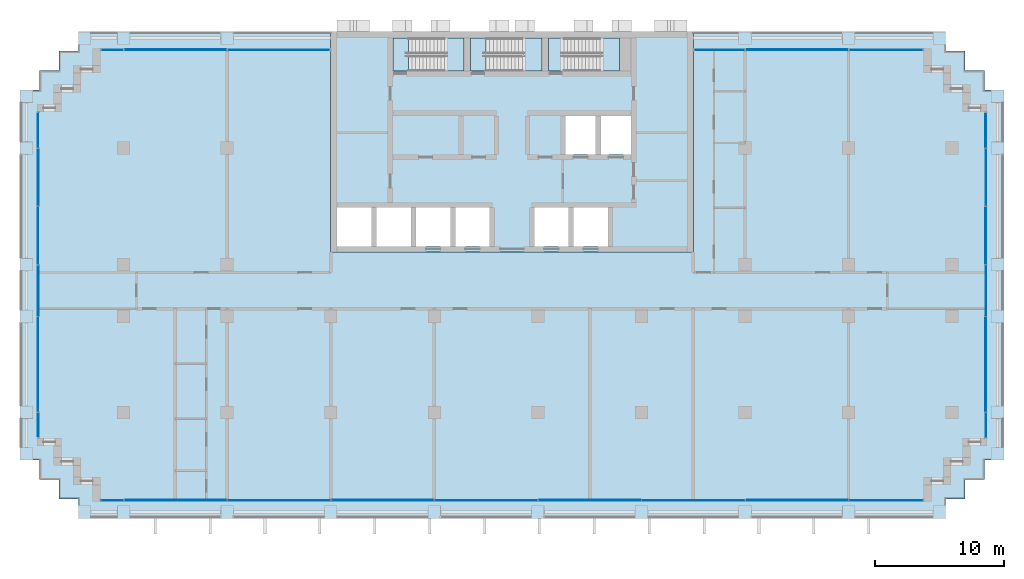
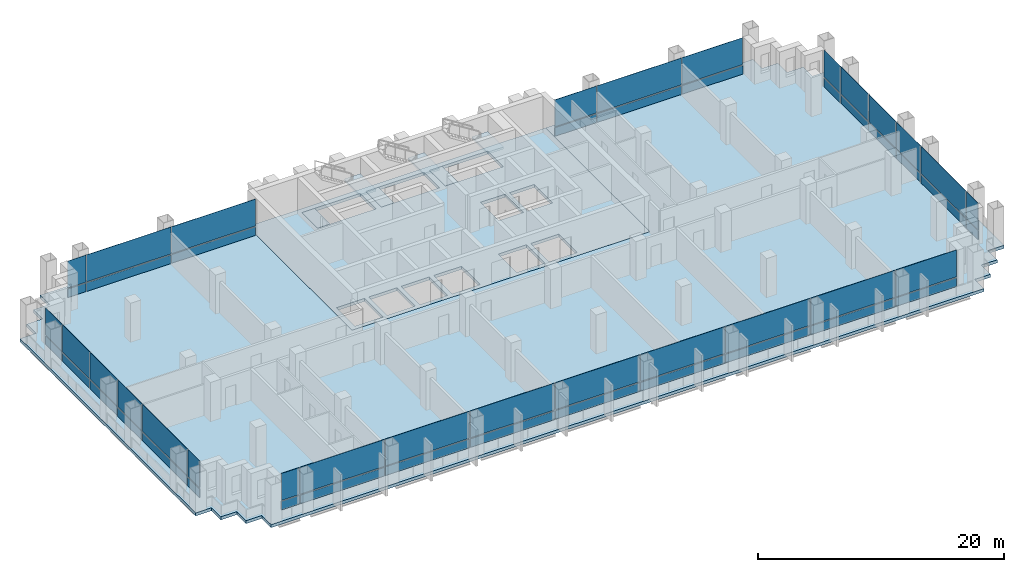
# One storey, part 6 of 13: 54 plates, 8 slabs, 8 elements without a shape of their own.
"""IFC4 building model written with IfcOpenShell, lengths in metres."""

from ifc_helpers import new_model, si_unit, direction, frame, origin, origin_2d, place, context, subcontext, project, spatial, polyline, rectangle, outline, extrude, material, layer, layer_set, type_object, element, aggregate, save


model = new_model("IFC4")

# Units and contexts
model_context = context("Model", 3, precision=1e-05, world=origin(), true_north=direction((0.0, 1.0)))
body_context = subcontext(model_context, "Body", "Model", "MODEL_VIEW")
ifc_project = project(units=[si_unit("LENGTHUNIT", "METRE"), si_unit("AREAUNIT", "SQUARE_METRE"), si_unit("VOLUMEUNIT", "CUBIC_METRE"), si_unit("PLANEANGLEUNIT", "RADIAN"), si_unit("MASSUNIT", "GRAM", prefix="KILO")], contexts=[model_context])

# Site, building, storey
site_placement = place(None, origin())
site = spatial("IfcSite", under=ifc_project, at=site_placement, CompositionType="ELEMENT")
building_placement = place(site_placement, origin())
building = spatial("IfcBuilding", under=site, at=building_placement, Name="Vidyagriha Tower", CompositionType="ELEMENT")
storey_placement = place(building_placement, frame((0.0, 0.0, 37.699951171875)))
storey = spatial("IfcBuildingStorey", under=building, at=storey_placement, Name="L09", CompositionType="ELEMENT", Elevation=37.699951171875)

# Curtain wall, plates
ifc_material_1 = material(Name="Aluminium and glass curtain wall", Category="aluminium")
curtain_wall_type = type_object("IfcCurtainWallType", Name="Classroom skin unitised curtain wall", PredefinedType="USERDEFINED", material=ifc_material_1)
curtain_wall_1_placement = place(storey_placement, origin())
curtain_wall_1 = element("IfcCurtainWall", 1, at=curtain_wall_1_placement, inside=storey, type_object=curtain_wall_type, Name="CW2 classroom skin", ObjectType="UNITISED", PredefinedType="USERDEFINED")
ifc_material_2 = material(Name="Glass dark ceramic-fritted spandrel", Category="glass")
ifc_layer_1 = layer(ifc_material_2, 0.0400390625)
ifc_layer_set_1 = layer_set([ifc_layer_1], Name="Glass dark ceramic-fritted spandrel")
plate_type_1 = type_object("IfcPlateType", Name="Ceramic-fritted spandrel panel", PredefinedType="CURTAIN_PANEL", material=ifc_layer_set_1)
plate_1_placement = place(storey_placement, frame((28.882568359375, 18.60009765625, 0.0), z_axis=(0.0, 0.0, 1.0), x_axis=(-1.0, 0.0, 0.0)))
plate_1 = element("IfcPlate", 2, at=plate_1_placement, type_object=plate_type_1, Name="CW2 panel 1.1", PredefinedType="CURTAIN_PANEL", context=body_context, shape_type="SweptSolid", body=[
    extrude(rectangle(XDim=5.695068359375, YDim=0.0400390625, at=origin_2d()), origin(), (0.0, 0.0, 1.0), 0.85009765625),
])
plate_2_placement = place(storey_placement, frame((16.017578125, 18.60009765625, 0.0), z_axis=(0.0, 0.0, 1.0), x_axis=(-1.0, 0.0, 0.0)))
plate_2 = element("IfcPlate", 3, at=plate_2_placement, type_object=plate_type_1, Name="CW2 panel 3.1", PredefinedType="CURTAIN_PANEL", context=body_context, shape_type="SweptSolid", body=[
    extrude(rectangle(XDim=3.89501953125, YDim=0.0400390625, at=origin_2d()), origin(), (0.0, 0.0, 1.0), 0.85009765625),
])

curtain_wall_2_placement = place(storey_placement, origin())
curtain_wall_2 = element("IfcCurtainWall", 4, at=curtain_wall_2_placement, inside=storey, type_object=curtain_wall_type, Name="CW2 classroom skin", ObjectType="UNITISED", PredefinedType="USERDEFINED")
plate_3_placement = place(storey_placement, frame((-18.017578125, 18.60009765625, 0.0), z_axis=(0.0, 0.0, 1.0), x_axis=(-1.0, 0.0, 0.0)))
plate_3 = element("IfcPlate", 5, at=plate_3_placement, type_object=plate_type_1, Name="CW2 panel 1.1", PredefinedType="CURTAIN_PANEL", context=body_context, shape_type="SweptSolid", body=[
    extrude(rectangle(XDim=7.89501953125, YDim=0.0400390625, at=origin_2d()), origin(), (0.0, 0.0, 1.0), 0.85009765625),
])
plate_4_placement = place(storey_placement, frame((-30.882568359375, 18.60009765625, 0.0), z_axis=(0.0, 0.0, 1.0), x_axis=(-1.0, 0.0, 0.0)))
plate_4 = element("IfcPlate", 6, at=plate_4_placement, type_object=plate_type_1, Name="CW2 panel 3.1", PredefinedType="CURTAIN_PANEL", context=body_context, shape_type="SweptSolid", body=[
    extrude(rectangle(XDim=1.695068359375, YDim=0.0400390625, at=origin_2d()), origin(), (0.0, 0.0, 1.0), 0.85009765625),
])

curtain_wall_3_placement = place(storey_placement, origin())
curtain_wall_3 = element("IfcCurtainWall", 7, at=curtain_wall_3_placement, inside=storey, type_object=curtain_wall_type, Name="CW2 classroom skin", ObjectType="UNITISED", PredefinedType="USERDEFINED")
plate_5_placement = place(storey_placement, frame((-36.60009765625, 12.382568359375, 0.0), z_axis=(0.0, 0.0, 1.0), x_axis=(0.0, -1.0, 0.0)))
plate_5 = element("IfcPlate", 8, at=plate_5_placement, type_object=plate_type_1, Name="CW2 panel 1.1", PredefinedType="CURTAIN_PANEL", context=body_context, shape_type="SweptSolid", body=[
    extrude(rectangle(XDim=2.695068359375, YDim=0.0400390625, at=origin_2d()), origin(), (0.0, 0.0, 1.0), 0.85009765625),
])
plate_6_placement = place(storey_placement, frame((-36.60009765625, 4.25, 0.0), z_axis=(0.0, 0.0, 1.0), x_axis=(0.0, -1.0, 0.0)))
plate_6 = element("IfcPlate", 9, at=plate_6_placement, type_object=plate_type_1, Name="CW2 panel 3.1", PredefinedType="CURTAIN_PANEL", context=body_context, shape_type="SweptSolid", body=[
    extrude(rectangle(XDim=4.429931640625, YDim=0.0400390625, at=origin_2d()), origin(), (0.0, 0.0, 1.0), 0.85009765625),
])
plate_7_placement = place(storey_placement, frame((-36.60009765625, -5.699951171875, 0.0), z_axis=(0.0, 0.0, 1.0), x_axis=(0.0, -1.0, 0.0)))
plate_7 = element("IfcPlate", 10, at=plate_7_placement, type_object=plate_type_1, Name="CW2 panel 5.1", PredefinedType="CURTAIN_PANEL", context=body_context, shape_type="SweptSolid", body=[
    extrude(rectangle(XDim=7.330078125, YDim=0.0400390625, at=origin_2d()), origin(), (0.0, 0.0, 1.0), 0.85009765625),
])

curtain_wall_4_placement = place(storey_placement, origin())
curtain_wall_4 = element("IfcCurtainWall", 11, at=curtain_wall_4_placement, inside=storey, type_object=curtain_wall_type, Name="CW2 classroom skin", ObjectType="UNITISED", PredefinedType="USERDEFINED")
plate_8_placement = place(storey_placement, frame((-30.882568359375, -16.199951171875, 0.0)))
plate_8 = element("IfcPlate", 12, at=plate_8_placement, type_object=plate_type_1, Name="CW2 panel 1.1", PredefinedType="CURTAIN_PANEL", context=body_context, shape_type="SweptSolid", body=[
    extrude(rectangle(XDim=1.695068359375, YDim=0.0400390625, at=origin_2d()), origin(), (0.0, 0.0, 1.0), 0.85009765625),
])
plate_9_placement = place(storey_placement, frame((-18.0, -16.199951171875, 0.0)))
plate_9 = element("IfcPlate", 13, at=plate_9_placement, type_object=plate_type_1, Name="CW2 panel 3.1", PredefinedType="CURTAIN_PANEL", context=body_context, shape_type="SweptSolid", body=[
    extrude(rectangle(XDim=7.929931640625, YDim=0.0400390625, at=origin_2d()), origin(), (0.0, 0.0, 1.0), 0.85009765625),
])
plate_10_placement = place(storey_placement, frame((-2.0, -16.199951171875, 0.0)))
plate_10 = element("IfcPlate", 14, at=plate_10_placement, type_object=plate_type_1, Name="CW2 panel 5.1", PredefinedType="CURTAIN_PANEL", context=body_context, shape_type="SweptSolid", body=[
    extrude(rectangle(XDim=7.929931640625, YDim=0.0400390625, at=origin_2d()), origin(), (0.0, 0.0, 1.0), 0.85009765625),
])
plate_11_placement = place(storey_placement, frame((14.0, -16.199951171875, 0.0)))
plate_11 = element("IfcPlate", 15, at=plate_11_placement, type_object=plate_type_1, Name="CW2 panel 7.1", PredefinedType="CURTAIN_PANEL", context=body_context, shape_type="SweptSolid", body=[
    extrude(rectangle(XDim=7.929931640625, YDim=0.0400390625, at=origin_2d()), origin(), (0.0, 0.0, 1.0), 0.85009765625),
])
plate_12_placement = place(storey_placement, frame((28.882568359375, -16.199951171875, 0.0)))
plate_12 = element("IfcPlate", 16, at=plate_12_placement, type_object=plate_type_1, Name="CW2 panel 9.1", PredefinedType="CURTAIN_PANEL", context=body_context, shape_type="SweptSolid", body=[
    extrude(rectangle(XDim=5.695068359375, YDim=0.0400390625, at=origin_2d()), origin(), (0.0, 0.0, 1.0), 0.85009765625),
])

curtain_wall_5_placement = place(storey_placement, origin())
curtain_wall_5 = element("IfcCurtainWall", 17, at=curtain_wall_5_placement, inside=storey, type_object=curtain_wall_type, Name="CW2 classroom skin", ObjectType="UNITISED", PredefinedType="USERDEFINED")
plate_13_placement = place(storey_placement, frame((36.60009765625, -10.382568359375, 0.0), z_axis=(0.0, 0.0, 1.0), x_axis=(0.0, 1.0, 0.0)))
plate_13 = element("IfcPlate", 18, at=plate_13_placement, type_object=plate_type_1, Name="CW2 panel 1.1", PredefinedType="CURTAIN_PANEL", context=body_context, shape_type="SweptSolid", body=[
    extrude(rectangle(XDim=1.89501953125, YDim=0.0400390625, at=origin_2d()), origin(), (0.0, 0.0, 1.0), 0.85009765625),
])
plate_14_placement = place(storey_placement, frame((36.60009765625, 0.0, 0.0), z_axis=(0.0, 0.0, 1.0), x_axis=(0.0, 1.0, 0.0)))
plate_14 = element("IfcPlate", 19, at=plate_14_placement, type_object=plate_type_1, Name="CW2 panel 3.1", PredefinedType="CURTAIN_PANEL", context=body_context, shape_type="SweptSolid", body=[
    extrude(rectangle(XDim=3.929931640625, YDim=0.0400390625, at=origin_2d()), origin(), (0.0, 0.0, 1.0), 0.85009765625),
])
plate_15_placement = place(storey_placement, frame((36.60009765625, 8.75, 0.0), z_axis=(0.0, 0.0, 1.0), x_axis=(0.0, 1.0, 0.0)))
plate_15 = element("IfcPlate", 20, at=plate_15_placement, type_object=plate_type_1, Name="CW2 panel 5.1", PredefinedType="CURTAIN_PANEL", context=body_context, shape_type="SweptSolid", body=[
    extrude(rectangle(XDim=4.429931640625, YDim=0.0400390625, at=origin_2d()), origin(), (0.0, 0.0, 1.0), 0.85009765625),
])

# Slab
ifc_material_3 = material(Name="Concrete C60/75", Category="concrete")
ifc_layer_2 = layer(ifc_material_3, 0.300048828125)
ifc_layer_set_2 = layer_set([ifc_layer_2], Name="Concrete C60/75")
slab_type_1 = type_object("IfcSlabType", Name="Core floor slab 300 mm", PredefinedType="FLOOR", material=ifc_layer_set_2)
slab_1_placement = place(storey_placement, frame((0.0, 0.0, -0.300048828125)))
element("IfcSlab", 21, at=slab_1_placement, inside=storey, type_object=slab_type_1, Name="L09 core floor 1", PredefinedType="FLOOR", context=body_context, shape_type="SweptSolid", body=[
    extrude(outline(polyline([(-14.0, 3.0), (-14.0, 20.0), (14.0, 20.0), (14.0, 3.0), (-14.0, 3.0)]), holes=[polyline([(9.199951171875, 13.5), (6.86669921875, 13.5), (6.86669921875, 10.5), (9.199951171875, 10.5), (9.199951171875, 13.5)]), polyline([(4.0, 19.5), (2.800048828125, 19.5), (2.800048828125, 16.949951171875), (4.0, 16.949951171875), (8.300048828125, 16.949951171875), (8.300048828125, 19.5), (4.0, 19.5)]), polyline([(7.4111328125, 6.39990234375), (4.7666015625, 6.39990234375), (4.7666015625, 3.39990234375), (7.4111328125, 3.39990234375), (7.4111328125, 6.39990234375)]), polyline([(6.466796875, 13.5), (4.13330078125, 13.5), (4.13330078125, 10.5), (6.466796875, 10.5), (6.466796875, 13.5)]), polyline([(1.72216796875, 6.39990234375), (1.72216796875, 3.39990234375), (4.36669921875, 3.39990234375), (4.36669921875, 6.39990234375), (1.72216796875, 6.39990234375)]), polyline([(-2.0, 16.949951171875), (2.300048828125, 16.949951171875), (2.300048828125, 19.5), (-2.0, 19.5), (-3.199951171875, 19.5), (-3.199951171875, 16.949951171875), (-2.0, 16.949951171875)]), polyline([(-1.72216796875, 6.39990234375), (-4.36669921875, 6.39990234375), (-4.36669921875, 3.39990234375), (-1.72216796875, 3.39990234375), (-1.72216796875, 6.39990234375)]), polyline([(-8.0, 19.5), (-9.199951171875, 19.5), (-9.199951171875, 16.949951171875), (-8.0, 16.949951171875), (-3.699951171875, 16.949951171875), (-3.699951171875, 19.5), (-8.0, 19.5)]), polyline([(-4.7666015625, 6.39990234375), (-7.4111328125, 6.39990234375), (-7.4111328125, 3.39990234375), (-4.7666015625, 3.39990234375), (-4.7666015625, 6.39990234375)]), polyline([(-7.81103515625, 6.39990234375), (-10.45556640625, 6.39990234375), (-10.45556640625, 3.39990234375), (-7.81103515625, 3.39990234375), (-7.81103515625, 6.39990234375)]), polyline([(-13.5, 6.39990234375), (-13.5, 3.39990234375), (-10.855712890625, 3.39990234375), (-10.855712890625, 6.39990234375), (-13.5, 6.39990234375)])]), origin(), (0.0, 0.0, 1.0), 0.300048828125),
])

# Plate
ifc_material_4 = material(Name="Glass dark ceramic-fritted", Category="glass")
ifc_layer_3 = layer(ifc_material_4, 0.028076171875)
ifc_layer_set_3 = layer_set([ifc_layer_3], Name="Glass dark ceramic-fritted")
plate_type_2 = type_object("IfcPlateType", Name="Dark ceramic-fritted vision glass panel", PredefinedType="CURTAIN_PANEL", material=ifc_layer_set_3)
plate_16_placement = place(storey_placement, frame((28.882568359375, 18.60009765625, 0.9501953125), z_axis=(0.0, 0.0, 1.0), x_axis=(-1.0, 0.0, 0.0)))
plate_16 = element("IfcPlate", 22, at=plate_16_placement, type_object=plate_type_2, Name="CW2 panel 1.2", PredefinedType="CURTAIN_PANEL", context=body_context, shape_type="SweptSolid", body=[
    extrude(rectangle(XDim=5.695068359375, YDim=0.028076171875, at=origin_2d()), origin(), (0.0, 0.0, 1.0), 2.669921875),
])

plate_17_placement = place(storey_placement, frame((22.0, 18.60009765625, 0.9501953125), z_axis=(0.0, 0.0, 1.0), x_axis=(-1.0, 0.0, 0.0)))
plate_17 = element("IfcPlate", 23, at=plate_17_placement, type_object=plate_type_2, Name="CW2 panel 2.2", PredefinedType="CURTAIN_PANEL", context=body_context, shape_type="SweptSolid", body=[
    extrude(rectangle(XDim=7.929931640625, YDim=0.028076171875, at=origin_2d()), origin(), (0.0, 0.0, 1.0), 2.669921875),
])

plate_18_placement = place(storey_placement, frame((16.017578125, 18.60009765625, 0.9501953125), z_axis=(0.0, 0.0, 1.0), x_axis=(-1.0, 0.0, 0.0)))
plate_18 = element("IfcPlate", 24, at=plate_18_placement, type_object=plate_type_2, Name="CW2 panel 3.2", PredefinedType="CURTAIN_PANEL", context=body_context, shape_type="SweptSolid", body=[
    extrude(rectangle(XDim=3.89501953125, YDim=0.028076171875, at=origin_2d()), origin(), (0.0, 0.0, 1.0), 2.669921875),
])

plate_19_placement = place(storey_placement, frame((-18.017578125, 18.60009765625, 0.9501953125), z_axis=(0.0, 0.0, 1.0), x_axis=(-1.0, 0.0, 0.0)))
plate_19 = element("IfcPlate", 25, at=plate_19_placement, type_object=plate_type_2, Name="CW2 panel 1.2", PredefinedType="CURTAIN_PANEL", context=body_context, shape_type="SweptSolid", body=[
    extrude(rectangle(XDim=7.89501953125, YDim=0.028076171875, at=origin_2d()), origin(), (0.0, 0.0, 1.0), 2.669921875),
])

plate_20_placement = place(storey_placement, frame((-26.0, 18.60009765625, 0.9501953125), z_axis=(0.0, 0.0, 1.0), x_axis=(-1.0, 0.0, 0.0)))
plate_20 = element("IfcPlate", 26, at=plate_20_placement, type_object=plate_type_2, Name="CW2 panel 2.2", PredefinedType="CURTAIN_PANEL", context=body_context, shape_type="SweptSolid", body=[
    extrude(rectangle(XDim=7.929931640625, YDim=0.028076171875, at=origin_2d()), origin(), (0.0, 0.0, 1.0), 2.669921875),
])

plate_21_placement = place(storey_placement, frame((-30.882568359375, 18.60009765625, 0.9501953125), z_axis=(0.0, 0.0, 1.0), x_axis=(-1.0, 0.0, 0.0)))
plate_21 = element("IfcPlate", 27, at=plate_21_placement, type_object=plate_type_2, Name="CW2 panel 3.2", PredefinedType="CURTAIN_PANEL", context=body_context, shape_type="SweptSolid", body=[
    extrude(rectangle(XDim=1.695068359375, YDim=0.028076171875, at=origin_2d()), origin(), (0.0, 0.0, 1.0), 2.669921875),
])

plate_22_placement = place(storey_placement, frame((-36.60009765625, 12.382568359375, 0.9501953125), z_axis=(0.0, 0.0, 1.0), x_axis=(0.0, -1.0, 0.0)))
plate_22 = element("IfcPlate", 28, at=plate_22_placement, type_object=plate_type_2, Name="CW2 panel 1.2", PredefinedType="CURTAIN_PANEL", context=body_context, shape_type="SweptSolid", body=[
    extrude(rectangle(XDim=2.695068359375, YDim=0.028076171875, at=origin_2d()), origin(), (0.0, 0.0, 1.0), 2.669921875),
])

plate_23_placement = place(storey_placement, frame((-36.60009765625, 8.75, 0.9501953125), z_axis=(0.0, 0.0, 1.0), x_axis=(0.0, -1.0, 0.0)))
plate_23 = element("IfcPlate", 29, at=plate_23_placement, type_object=plate_type_2, Name="CW2 panel 2.2", PredefinedType="CURTAIN_PANEL", context=body_context, shape_type="SweptSolid", body=[
    extrude(rectangle(XDim=4.429931640625, YDim=0.028076171875, at=origin_2d()), origin(), (0.0, 0.0, 1.0), 2.669921875),
])

plate_24_placement = place(storey_placement, frame((-36.60009765625, 4.25, 0.9501953125), z_axis=(0.0, 0.0, 1.0), x_axis=(0.0, -1.0, 0.0)))
plate_24 = element("IfcPlate", 30, at=plate_24_placement, type_object=plate_type_2, Name="CW2 panel 3.2", PredefinedType="CURTAIN_PANEL", context=body_context, shape_type="SweptSolid", body=[
    extrude(rectangle(XDim=4.429931640625, YDim=0.028076171875, at=origin_2d()), origin(), (0.0, 0.0, 1.0), 2.669921875),
])

plate_25_placement = place(storey_placement, frame((-36.60009765625, 0.0, 0.9501953125), z_axis=(0.0, 0.0, 1.0), x_axis=(0.0, -1.0, 0.0)))
plate_25 = element("IfcPlate", 31, at=plate_25_placement, type_object=plate_type_2, Name="CW2 panel 4.2", PredefinedType="CURTAIN_PANEL", context=body_context, shape_type="SweptSolid", body=[
    extrude(rectangle(XDim=3.929931640625, YDim=0.028076171875, at=origin_2d()), origin(), (0.0, 0.0, 1.0), 2.669921875),
])

plate_26_placement = place(storey_placement, frame((-36.60009765625, -5.699951171875, 0.9501953125), z_axis=(0.0, 0.0, 1.0), x_axis=(0.0, -1.0, 0.0)))
plate_26 = element("IfcPlate", 32, at=plate_26_placement, type_object=plate_type_2, Name="CW2 panel 5.2", PredefinedType="CURTAIN_PANEL", context=body_context, shape_type="SweptSolid", body=[
    extrude(rectangle(XDim=7.330078125, YDim=0.028076171875, at=origin_2d()), origin(), (0.0, 0.0, 1.0), 2.669921875),
])

plate_27_placement = place(storey_placement, frame((-36.60009765625, -10.382568359375, 0.9501953125), z_axis=(0.0, 0.0, 1.0), x_axis=(0.0, -1.0, 0.0)))
plate_27 = element("IfcPlate", 33, at=plate_27_placement, type_object=plate_type_2, Name="CW2 panel 6.2", PredefinedType="CURTAIN_PANEL", context=body_context, shape_type="SweptSolid", body=[
    extrude(rectangle(XDim=1.89501953125, YDim=0.028076171875, at=origin_2d()), origin(), (0.0, 0.0, 1.0), 2.669921875),
])

plate_28_placement = place(storey_placement, frame((-30.882568359375, -16.199951171875, 0.9501953125)))
plate_28 = element("IfcPlate", 34, at=plate_28_placement, type_object=plate_type_2, Name="CW2 panel 1.2", PredefinedType="CURTAIN_PANEL", context=body_context, shape_type="SweptSolid", body=[
    extrude(rectangle(XDim=1.695068359375, YDim=0.028076171875, at=origin_2d()), origin(), (0.0, 0.0, 1.0), 2.669921875),
])

plate_29_placement = place(storey_placement, frame((-26.0, -16.199951171875, 0.9501953125)))
plate_29 = element("IfcPlate", 35, at=plate_29_placement, type_object=plate_type_2, Name="CW2 panel 2.2", PredefinedType="CURTAIN_PANEL", context=body_context, shape_type="SweptSolid", body=[
    extrude(rectangle(XDim=7.929931640625, YDim=0.028076171875, at=origin_2d()), origin(), (0.0, 0.0, 1.0), 2.669921875),
])

plate_30_placement = place(storey_placement, frame((-18.0, -16.199951171875, 0.9501953125)))
plate_30 = element("IfcPlate", 36, at=plate_30_placement, type_object=plate_type_2, Name="CW2 panel 3.2", PredefinedType="CURTAIN_PANEL", context=body_context, shape_type="SweptSolid", body=[
    extrude(rectangle(XDim=7.929931640625, YDim=0.028076171875, at=origin_2d()), origin(), (0.0, 0.0, 1.0), 2.669921875),
])

plate_31_placement = place(storey_placement, frame((-10.0, -16.199951171875, 0.9501953125)))
plate_31 = element("IfcPlate", 37, at=plate_31_placement, type_object=plate_type_2, Name="CW2 panel 4.2", PredefinedType="CURTAIN_PANEL", context=body_context, shape_type="SweptSolid", body=[
    extrude(rectangle(XDim=7.929931640625, YDim=0.028076171875, at=origin_2d()), origin(), (0.0, 0.0, 1.0), 2.669921875),
])

plate_32_placement = place(storey_placement, frame((-2.0, -16.199951171875, 0.9501953125)))
plate_32 = element("IfcPlate", 38, at=plate_32_placement, type_object=plate_type_2, Name="CW2 panel 5.2", PredefinedType="CURTAIN_PANEL", context=body_context, shape_type="SweptSolid", body=[
    extrude(rectangle(XDim=7.929931640625, YDim=0.028076171875, at=origin_2d()), origin(), (0.0, 0.0, 1.0), 2.669921875),
])

plate_33_placement = place(storey_placement, frame((6.0, -16.199951171875, 0.9501953125)))
plate_33 = element("IfcPlate", 39, at=plate_33_placement, type_object=plate_type_2, Name="CW2 panel 6.2", PredefinedType="CURTAIN_PANEL", context=body_context, shape_type="SweptSolid", body=[
    extrude(rectangle(XDim=7.929931640625, YDim=0.028076171875, at=origin_2d()), origin(), (0.0, 0.0, 1.0), 2.669921875),
])

plate_34_placement = place(storey_placement, frame((14.0, -16.199951171875, 0.9501953125)))
plate_34 = element("IfcPlate", 40, at=plate_34_placement, type_object=plate_type_2, Name="CW2 panel 7.2", PredefinedType="CURTAIN_PANEL", context=body_context, shape_type="SweptSolid", body=[
    extrude(rectangle(XDim=7.929931640625, YDim=0.028076171875, at=origin_2d()), origin(), (0.0, 0.0, 1.0), 2.669921875),
])

plate_35_placement = place(storey_placement, frame((22.0, -16.199951171875, 0.9501953125)))
plate_35 = element("IfcPlate", 41, at=plate_35_placement, type_object=plate_type_2, Name="CW2 panel 8.2", PredefinedType="CURTAIN_PANEL", context=body_context, shape_type="SweptSolid", body=[
    extrude(rectangle(XDim=7.929931640625, YDim=0.028076171875, at=origin_2d()), origin(), (0.0, 0.0, 1.0), 2.669921875),
])

plate_36_placement = place(storey_placement, frame((28.882568359375, -16.199951171875, 0.9501953125)))
plate_36 = element("IfcPlate", 42, at=plate_36_placement, type_object=plate_type_2, Name="CW2 panel 9.2", PredefinedType="CURTAIN_PANEL", context=body_context, shape_type="SweptSolid", body=[
    extrude(rectangle(XDim=5.695068359375, YDim=0.028076171875, at=origin_2d()), origin(), (0.0, 0.0, 1.0), 2.669921875),
])

plate_37_placement = place(storey_placement, frame((36.60009765625, -10.382568359375, 0.9501953125), z_axis=(0.0, 0.0, 1.0), x_axis=(0.0, 1.0, 0.0)))
plate_37 = element("IfcPlate", 43, at=plate_37_placement, type_object=plate_type_2, Name="CW2 panel 1.2", PredefinedType="CURTAIN_PANEL", context=body_context, shape_type="SweptSolid", body=[
    extrude(rectangle(XDim=1.89501953125, YDim=0.028076171875, at=origin_2d()), origin(), (0.0, 0.0, 1.0), 2.669921875),
])

plate_38_placement = place(storey_placement, frame((36.60009765625, -5.699951171875, 0.9501953125), z_axis=(0.0, 0.0, 1.0), x_axis=(0.0, 1.0, 0.0)))
plate_38 = element("IfcPlate", 44, at=plate_38_placement, type_object=plate_type_2, Name="CW2 panel 2.2", PredefinedType="CURTAIN_PANEL", context=body_context, shape_type="SweptSolid", body=[
    extrude(rectangle(XDim=7.330078125, YDim=0.028076171875, at=origin_2d()), origin(), (0.0, 0.0, 1.0), 2.669921875),
])

plate_39_placement = place(storey_placement, frame((36.60009765625, 0.0, 0.9501953125), z_axis=(0.0, 0.0, 1.0), x_axis=(0.0, 1.0, 0.0)))
plate_39 = element("IfcPlate", 45, at=plate_39_placement, type_object=plate_type_2, Name="CW2 panel 3.2", PredefinedType="CURTAIN_PANEL", context=body_context, shape_type="SweptSolid", body=[
    extrude(rectangle(XDim=3.929931640625, YDim=0.028076171875, at=origin_2d()), origin(), (0.0, 0.0, 1.0), 2.669921875),
])

plate_40_placement = place(storey_placement, frame((36.60009765625, 4.25, 0.9501953125), z_axis=(0.0, 0.0, 1.0), x_axis=(0.0, 1.0, 0.0)))
plate_40 = element("IfcPlate", 46, at=plate_40_placement, type_object=plate_type_2, Name="CW2 panel 4.2", PredefinedType="CURTAIN_PANEL", context=body_context, shape_type="SweptSolid", body=[
    extrude(rectangle(XDim=4.429931640625, YDim=0.028076171875, at=origin_2d()), origin(), (0.0, 0.0, 1.0), 2.669921875),
])

plate_41_placement = place(storey_placement, frame((36.60009765625, 8.75, 0.9501953125), z_axis=(0.0, 0.0, 1.0), x_axis=(0.0, 1.0, 0.0)))
plate_41 = element("IfcPlate", 47, at=plate_41_placement, type_object=plate_type_2, Name="CW2 panel 5.2", PredefinedType="CURTAIN_PANEL", context=body_context, shape_type="SweptSolid", body=[
    extrude(rectangle(XDim=4.429931640625, YDim=0.028076171875, at=origin_2d()), origin(), (0.0, 0.0, 1.0), 2.669921875),
])

plate_42_placement = place(storey_placement, frame((36.60009765625, 12.382568359375, 0.9501953125), z_axis=(0.0, 0.0, 1.0), x_axis=(0.0, 1.0, 0.0)))
plate_42 = element("IfcPlate", 48, at=plate_42_placement, type_object=plate_type_2, Name="CW2 panel 6.2", PredefinedType="CURTAIN_PANEL", context=body_context, shape_type="SweptSolid", body=[
    extrude(rectangle(XDim=2.695068359375, YDim=0.028076171875, at=origin_2d()), origin(), (0.0, 0.0, 1.0), 2.669921875),
])

# Slabs
ifc_material_5 = material(Name="Concrete C40/50", Category="concrete")
ifc_layer_4 = layer(ifc_material_5, 0.300048828125)
ifc_layer_set_4 = layer_set([ifc_layer_4], Name="Concrete C40/50")
slab_type_2 = type_object("IfcSlabType", Name="Exit stair floor landing 300 mm", PredefinedType="LANDING", material=ifc_layer_set_4)
slab_2_placement = place(storey_placement, frame((0.0, 0.0, -0.300048828125)))
element("IfcSlab", 49, at=slab_2_placement, inside=storey, type_object=slab_type_2, Name="ST1 floor landing L09", PredefinedType="LANDING", context=body_context, shape_type="SweptSolid", body=[
    extrude(outline(polyline([(-9.199951171875, 16.949951171875), (-8.0, 16.949951171875), (-8.0, 19.5), (-9.199951171875, 19.5), (-9.199951171875, 16.949951171875)])), origin(), (0.0, 0.0, 1.0), 0.300048828125),
])
slab_3_placement = place(storey_placement, frame((0.0, 0.0, -0.300048828125)))
element("IfcSlab", 50, at=slab_3_placement, inside=storey, type_object=slab_type_2, Name="ST2 floor landing L09", PredefinedType="LANDING", context=body_context, shape_type="SweptSolid", body=[
    extrude(outline(polyline([(-3.199951171875, 16.949951171875), (-2.0, 16.949951171875), (-2.0, 19.5), (-3.199951171875, 19.5), (-3.199951171875, 16.949951171875)])), origin(), (0.0, 0.0, 1.0), 0.300048828125),
])
slab_4_placement = place(storey_placement, frame((0.0, 0.0, -0.300048828125)))
element("IfcSlab", 51, at=slab_4_placement, inside=storey, type_object=slab_type_2, Name="ST3 floor landing L09", PredefinedType="LANDING", context=body_context, shape_type="SweptSolid", body=[
    extrude(outline(polyline([(2.800048828125, 16.949951171875), (4.0, 16.949951171875), (4.0, 19.5), (2.800048828125, 19.5), (2.800048828125, 16.949951171875)])), origin(), (0.0, 0.0, 1.0), 0.300048828125),
])

# Stair, slab
ifc_material_6 = material(Name="Concrete C40/50", Category="concrete")
stair_type = type_object("IfcStairType", Name="Exit stair, half-turn, precast flights", PredefinedType="HALF_TURN_STAIR", material=ifc_material_6)
stair_1_placement = place(storey_placement, origin())
stair_1 = element("IfcStair", 52, at=stair_1_placement, inside=storey, type_object=stair_type, Name="L09 Exit Stair ST1", PredefinedType="HALF_TURN_STAIR")
ifc_material_7 = material(Name="Concrete C40/50", Category="concrete")
ifc_layer_5 = layer(ifc_material_7, 0.199951171875)
ifc_layer_set_5 = layer_set([ifc_layer_5], Name="Concrete C40/50")
slab_type_3 = type_object("IfcSlabType", Name="Exit stair landing 200 mm", PredefinedType="LANDING", material=ifc_layer_set_5)
slab_5_placement = place(storey_placement, frame((0.0, 0.0, 1.75)))
slab_5 = element("IfcSlab", 53, at=slab_5_placement, type_object=slab_type_3, Name="ST1 landing 1", PredefinedType="LANDING", context=body_context, shape_type="SweptSolid", body=[
    extrude(outline(polyline([(-5.199951171875, 16.949951171875), (-3.699951171875, 16.949951171875), (-3.699951171875, 19.5), (-5.199951171875, 19.5), (-5.199951171875, 16.949951171875)])), origin(), (0.0, 0.0, 1.0), 0.199951171875),
])
aggregate(stair_1, [slab_5])

stair_2_placement = place(storey_placement, origin())
stair_2 = element("IfcStair", 54, at=stair_2_placement, inside=storey, type_object=stair_type, Name="L09 Exit Stair ST2", PredefinedType="HALF_TURN_STAIR")
slab_6_placement = place(storey_placement, frame((0.0, 0.0, 1.75)))
slab_6 = element("IfcSlab", 55, at=slab_6_placement, type_object=slab_type_3, Name="ST2 landing 1", PredefinedType="LANDING", context=body_context, shape_type="SweptSolid", body=[
    extrude(outline(polyline([(0.800048828125, 16.949951171875), (2.300048828125, 16.949951171875), (2.300048828125, 19.5), (0.800048828125, 19.5), (0.800048828125, 16.949951171875)])), origin(), (0.0, 0.0, 1.0), 0.199951171875),
])
aggregate(stair_2, [slab_6])

stair_3_placement = place(storey_placement, origin())
stair_3 = element("IfcStair", 56, at=stair_3_placement, inside=storey, type_object=stair_type, Name="L09 Exit Stair ST3", PredefinedType="HALF_TURN_STAIR")
slab_7_placement = place(storey_placement, frame((0.0, 0.0, 1.75)))
slab_7 = element("IfcSlab", 57, at=slab_7_placement, type_object=slab_type_3, Name="ST3 landing 1", PredefinedType="LANDING", context=body_context, shape_type="SweptSolid", body=[
    extrude(outline(polyline([(6.800048828125, 16.949951171875), (8.300048828125, 16.949951171875), (8.300048828125, 19.5), (6.800048828125, 19.5), (6.800048828125, 16.949951171875)])), origin(), (0.0, 0.0, 1.0), 0.199951171875),
])
aggregate(stair_3, [slab_7])

# Plate
ifc_material_8 = material(Name="Aluminium black anodised", Category="aluminium")
ifc_layer_6 = layer(ifc_material_8, 0.06005859375)
ifc_layer_set_6 = layer_set([ifc_layer_6], Name="Aluminium black anodised")
plate_type_3 = type_object("IfcPlateType", Name="Operable black-metal vent panel", PredefinedType="CURTAIN_PANEL", material=ifc_layer_set_6)
plate_43_placement = place(storey_placement, frame((22.0, 18.60009765625, 0.0), z_axis=(0.0, 0.0, 1.0), x_axis=(-1.0, 0.0, 0.0)))
plate_43 = element("IfcPlate", 58, at=plate_43_placement, type_object=plate_type_3, Name="CW2 panel 2.1", PredefinedType="CURTAIN_PANEL", context=body_context, shape_type="SweptSolid", body=[
    extrude(rectangle(XDim=7.929931640625, YDim=0.06005859375, at=origin_2d()), origin(), (0.0, 0.0, 1.0), 0.85009765625),
])

aggregate(curtain_wall_1, [plate_1, plate_16, plate_43, plate_17, plate_2, plate_18])

plate_44_placement = place(storey_placement, frame((-26.0, 18.60009765625, 0.0), z_axis=(0.0, 0.0, 1.0), x_axis=(-1.0, 0.0, 0.0)))
plate_44 = element("IfcPlate", 59, at=plate_44_placement, type_object=plate_type_3, Name="CW2 panel 2.1", PredefinedType="CURTAIN_PANEL", context=body_context, shape_type="SweptSolid", body=[
    extrude(rectangle(XDim=7.929931640625, YDim=0.06005859375, at=origin_2d()), origin(), (0.0, 0.0, 1.0), 0.85009765625),
])

aggregate(curtain_wall_2, [plate_3, plate_19, plate_44, plate_20, plate_4, plate_21])

plate_45_placement = place(storey_placement, frame((-36.60009765625, 8.75, 0.0), z_axis=(0.0, 0.0, 1.0), x_axis=(0.0, -1.0, 0.0)))
plate_45 = element("IfcPlate", 60, at=plate_45_placement, type_object=plate_type_3, Name="CW2 panel 2.1", PredefinedType="CURTAIN_PANEL", context=body_context, shape_type="SweptSolid", body=[
    extrude(rectangle(XDim=4.429931640625, YDim=0.06005859375, at=origin_2d()), origin(), (0.0, 0.0, 1.0), 0.85009765625),
])

plate_46_placement = place(storey_placement, frame((-36.60009765625, 0.0, 0.0), z_axis=(0.0, 0.0, 1.0), x_axis=(0.0, -1.0, 0.0)))
plate_46 = element("IfcPlate", 61, at=plate_46_placement, type_object=plate_type_3, Name="CW2 panel 4.1", PredefinedType="CURTAIN_PANEL", context=body_context, shape_type="SweptSolid", body=[
    extrude(rectangle(XDim=3.929931640625, YDim=0.06005859375, at=origin_2d()), origin(), (0.0, 0.0, 1.0), 0.85009765625),
])

plate_47_placement = place(storey_placement, frame((-36.60009765625, -10.382568359375, 0.0), z_axis=(0.0, 0.0, 1.0), x_axis=(0.0, -1.0, 0.0)))
plate_47 = element("IfcPlate", 62, at=plate_47_placement, type_object=plate_type_3, Name="CW2 panel 6.1", PredefinedType="CURTAIN_PANEL", context=body_context, shape_type="SweptSolid", body=[
    extrude(rectangle(XDim=1.89501953125, YDim=0.06005859375, at=origin_2d()), origin(), (0.0, 0.0, 1.0), 0.85009765625),
])

aggregate(curtain_wall_3, [plate_5, plate_22, plate_45, plate_23, plate_6, plate_24, plate_46, plate_25, plate_7, plate_26, plate_47, plate_27])

plate_48_placement = place(storey_placement, frame((-26.0, -16.199951171875, 0.0)))
plate_48 = element("IfcPlate", 63, at=plate_48_placement, type_object=plate_type_3, Name="CW2 panel 2.1", PredefinedType="CURTAIN_PANEL", context=body_context, shape_type="SweptSolid", body=[
    extrude(rectangle(XDim=7.929931640625, YDim=0.06005859375, at=origin_2d()), origin(), (0.0, 0.0, 1.0), 0.85009765625),
])

plate_49_placement = place(storey_placement, frame((-10.0, -16.199951171875, 0.0)))
plate_49 = element("IfcPlate", 64, at=plate_49_placement, type_object=plate_type_3, Name="CW2 panel 4.1", PredefinedType="CURTAIN_PANEL", context=body_context, shape_type="SweptSolid", body=[
    extrude(rectangle(XDim=7.929931640625, YDim=0.06005859375, at=origin_2d()), origin(), (0.0, 0.0, 1.0), 0.85009765625),
])

plate_50_placement = place(storey_placement, frame((6.0, -16.199951171875, 0.0)))
plate_50 = element("IfcPlate", 65, at=plate_50_placement, type_object=plate_type_3, Name="CW2 panel 6.1", PredefinedType="CURTAIN_PANEL", context=body_context, shape_type="SweptSolid", body=[
    extrude(rectangle(XDim=7.929931640625, YDim=0.06005859375, at=origin_2d()), origin(), (0.0, 0.0, 1.0), 0.85009765625),
])

plate_51_placement = place(storey_placement, frame((22.0, -16.199951171875, 0.0)))
plate_51 = element("IfcPlate", 66, at=plate_51_placement, type_object=plate_type_3, Name="CW2 panel 8.1", PredefinedType="CURTAIN_PANEL", context=body_context, shape_type="SweptSolid", body=[
    extrude(rectangle(XDim=7.929931640625, YDim=0.06005859375, at=origin_2d()), origin(), (0.0, 0.0, 1.0), 0.85009765625),
])

aggregate(curtain_wall_4, [plate_8, plate_28, plate_48, plate_29, plate_9, plate_30, plate_49, plate_31, plate_10, plate_32, plate_50, plate_33, plate_11, plate_34, plate_51, plate_35, plate_12, plate_36])

plate_52_placement = place(storey_placement, frame((36.60009765625, -5.699951171875, 0.0), z_axis=(0.0, 0.0, 1.0), x_axis=(0.0, 1.0, 0.0)))
plate_52 = element("IfcPlate", 67, at=plate_52_placement, type_object=plate_type_3, Name="CW2 panel 2.1", PredefinedType="CURTAIN_PANEL", context=body_context, shape_type="SweptSolid", body=[
    extrude(rectangle(XDim=7.330078125, YDim=0.06005859375, at=origin_2d()), origin(), (0.0, 0.0, 1.0), 0.85009765625),
])

plate_53_placement = place(storey_placement, frame((36.60009765625, 4.25, 0.0), z_axis=(0.0, 0.0, 1.0), x_axis=(0.0, 1.0, 0.0)))
plate_53 = element("IfcPlate", 68, at=plate_53_placement, type_object=plate_type_3, Name="CW2 panel 4.1", PredefinedType="CURTAIN_PANEL", context=body_context, shape_type="SweptSolid", body=[
    extrude(rectangle(XDim=4.429931640625, YDim=0.06005859375, at=origin_2d()), origin(), (0.0, 0.0, 1.0), 0.85009765625),
])

plate_54_placement = place(storey_placement, frame((36.60009765625, 12.382568359375, 0.0), z_axis=(0.0, 0.0, 1.0), x_axis=(0.0, 1.0, 0.0)))
plate_54 = element("IfcPlate", 69, at=plate_54_placement, type_object=plate_type_3, Name="CW2 panel 6.1", PredefinedType="CURTAIN_PANEL", context=body_context, shape_type="SweptSolid", body=[
    extrude(rectangle(XDim=2.695068359375, YDim=0.06005859375, at=origin_2d()), origin(), (0.0, 0.0, 1.0), 0.85009765625),
])

aggregate(curtain_wall_5, [plate_13, plate_37, plate_52, plate_38, plate_14, plate_39, plate_53, plate_40, plate_15, plate_41, plate_54, plate_42])

# Slab
ifc_material_9 = material(Name="Concrete C50/60", Category="concrete")
ifc_layer_7 = layer(ifc_material_9, 0.300048828125)
ifc_layer_set_7 = layer_set([ifc_layer_7], Name="Concrete C50/60")
slab_type_4 = type_object("IfcSlabType", Name="Post-tensioned flat plate 300", PredefinedType="FLOOR", material=ifc_layer_set_7)
slab_8_placement = place(storey_placement, frame((0.0, 0.0, -0.300048828125)))
element("IfcSlab", 70, at=slab_8_placement, inside=storey, type_object=slab_type_4, Name="st-slab-L09-1", PredefinedType="FLOOR", context=body_context, shape_type="SweptSolid", body=[
    extrude(outline(polyline([(36.5, -13.10009765625), (36.5, -14.60009765625), (35.0, -14.60009765625), (35.0, -16.10009765625), (33.5, -16.10009765625), (33.5, -17.60009765625), (-33.5, -17.60009765625), (-33.5, -16.10009765625), (-35.0, -16.10009765625), (-35.0, -14.60009765625), (-36.5, -14.60009765625), (-36.5, -13.10009765625), (-38.0, -13.10009765625), (-38.0, 15.5), (-36.5, 15.5), (-36.5, 17.0), (-35.0, 17.0), (-35.0, 18.5), (-33.5, 18.5), (-33.5, 20.0), (-14.0, 20.0), (-14.0, 3.0), (14.0, 3.0), (14.0, 20.0), (33.5, 20.0), (33.5, 18.5), (35.0, 18.5), (35.0, 17.0), (36.5, 17.0), (36.5, 15.5), (38.0, 15.5), (38.0, -13.10009765625), (36.5, -13.10009765625)])), origin(), (0.0, 0.0, 1.0), 0.300048828125),
])

save(model, "model.ifc")
